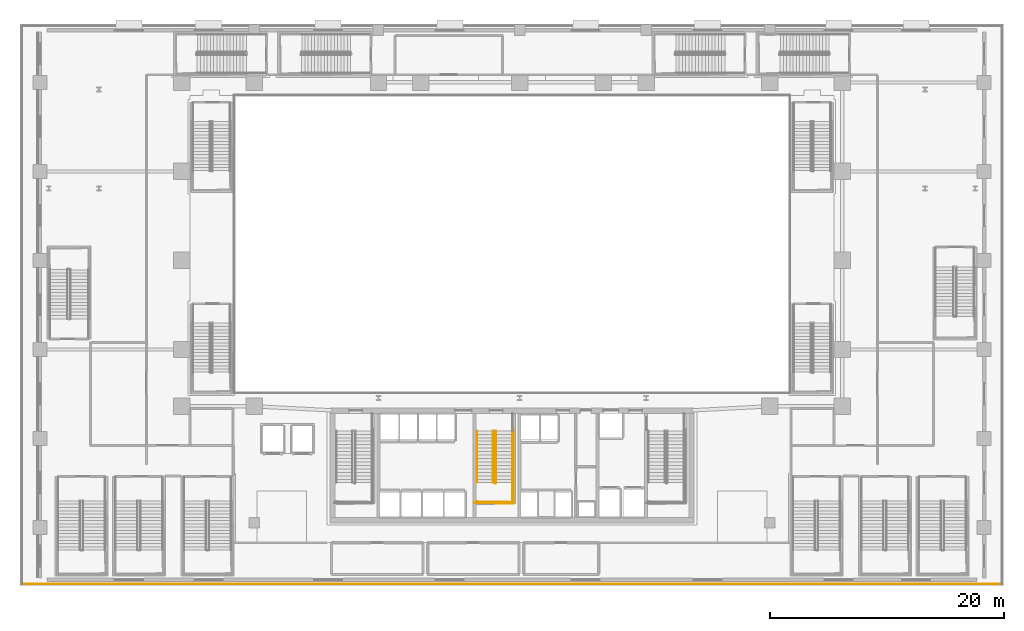
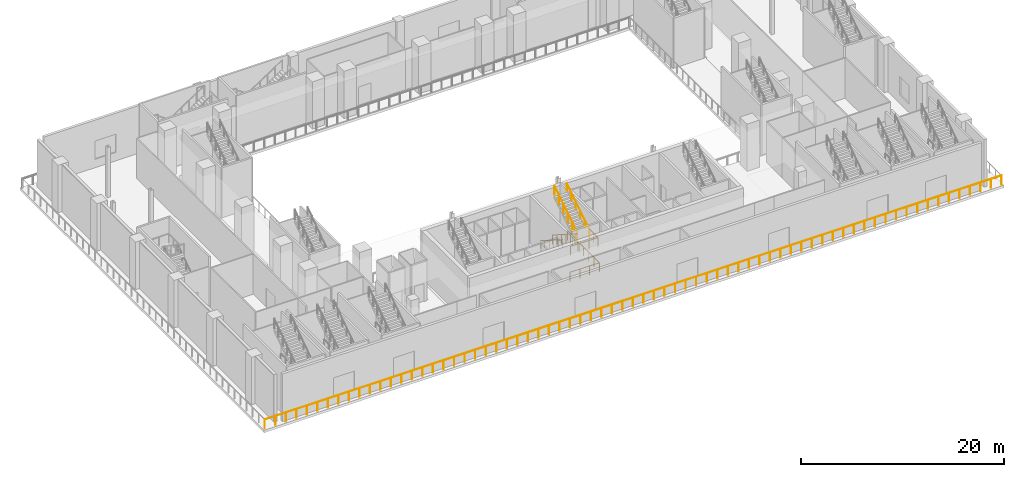
# One storey, part 19 of 29: 7 railings.
"""IFC4 building model written with IfcOpenShell, lengths in metres."""

from ifc_helpers import new_model, si_unit, direction, frame, origin, origin_2d, place, context, subcontext, project, spatial, circle, extrude, material, layer, layer_set, type_object, element, save


model = new_model("IFC4")

# Units and contexts
model_context = context("Model", 3, precision=1e-05, world=origin(), true_north=direction((0.0, 1.0)))
body_context = subcontext(model_context, "Body", "Model", "MODEL_VIEW")
ifc_project = project(units=[si_unit("LENGTHUNIT", "METRE"), si_unit("AREAUNIT", "SQUARE_METRE"), si_unit("VOLUMEUNIT", "CUBIC_METRE"), si_unit("PLANEANGLEUNIT", "RADIAN"), si_unit("MASSUNIT", "GRAM", prefix="KILO")], contexts=[model_context])

# Site, building, storey
site_placement = place(None, origin())
site = spatial("IfcSite", under=ifc_project, at=site_placement, CompositionType="ELEMENT")
building_placement = place(site_placement, origin())
building = spatial("IfcBuilding", under=site, at=building_placement, Name="Ndaravel Arena Tower", CompositionType="ELEMENT")
storey_placement = place(building_placement, frame((0.0, 0.0, 12.0)))
storey = spatial("IfcBuildingStorey", under=building, at=storey_placement, Name="L02", CompositionType="ELEMENT", Elevation=12.0)

# Railings
ifc_material_1 = material(Name="Steel S355", Category="steel")
ifc_layer_1 = layer(ifc_material_1, 0.06005859375)
ifc_layer_set_1 = layer_set([ifc_layer_1], Name="Steel S355")
railing_type_1 = type_object("IfcRailingType", Name="RAIL-STAIR-GD1100", PredefinedType="GUARDRAIL", material=ifc_layer_set_1)
railing_1_placement = place(storey_placement, frame((40.39990234375, 13.25, 0.1875)))
element("IfcRailing", 1, at=railing_1_placement, inside=storey, type_object=railing_type_1, Name="L02 ST-2 stair guard 1", PredefinedType="GUARDRAIL", context=body_context, shape_type="SweptSolid", body=[
    extrude(circle(Radius=0.02392578125, at=origin_2d()), frame((0.0, 0.0, 1.076171875), z_axis=(0.0, -0.843958541447, 0.536408408136), x_axis=(1.0, 0.0, 0.0)), (0.0, 0.0, 1.0), 5.2431640625),
    extrude(circle(Radius=0.02392578125, at=origin_2d()), frame((0.0, -4.425048828125, 3.888671875), z_axis=(0.967074537263, -0.25449329928, 0.0), x_axis=(0.25449329928, 0.967074537263, 0.0)), (0.0, 0.0, 1.0), 0.19677734375),
    extrude(circle(Radius=0.02099609375, at=origin_2d()), origin(), (0.0, 0.0, 1.0), 1.052001953125),
    extrude(circle(Radius=0.02099609375, at=origin_2d()), frame((0.0, -0.885009765625, 0.5625)), (0.0, 0.0, 1.0), 1.052001953125),
    extrude(circle(Radius=0.02099609375, at=origin_2d()), frame((0.0, -1.77001953125, 1.125)), (0.0, 0.0, 1.0), 1.052001953125),
    extrude(circle(Radius=0.02099609375, at=origin_2d()), frame((0.0, -2.655029296875, 1.6875)), (0.0, 0.0, 1.0), 1.052001953125),
    extrude(circle(Radius=0.02099609375, at=origin_2d()), frame((0.0, -3.5400390625, 2.25)), (0.0, 0.0, 1.0), 1.052001953125),
    extrude(circle(Radius=0.02099609375, at=origin_2d()), frame((0.0, -4.425048828125, 2.8125)), (0.0, 0.0, 1.0), 1.052001953125),
    extrude(circle(Radius=0.02099609375, at=origin_2d()), frame((0.190185546875, -4.47509765625, 2.8125)), (0.0, 0.0, 1.0), 1.052001953125),
])
railing_2_placement = place(storey_placement, frame((42.0400390625, 8.824951171875, 3.0)))
element("IfcRailing", 2, at=railing_2_placement, inside=storey, type_object=railing_type_1, Name="L02 ST-2 stair guard 2", PredefinedType="GUARDRAIL", context=body_context, shape_type="SweptSolid", body=[
    extrude(circle(Radius=0.02392578125, at=origin_2d()), frame((0.0, 0.0, 1.076171875), z_axis=(0.0, -1.0, 0.0), x_axis=(1.0, 0.0, 0.0)), (0.0, 0.0, 1.0), 1.675048828125),
    extrude(circle(Radius=0.02392578125, at=origin_2d()), frame((0.0, -1.675048828125, 1.076171875), z_axis=(-0.999868861343, 0.016194447071, 0.0), x_axis=(-0.016194447071, -0.999868861343, 0.0)), (0.0, 0.0, 1.0), 3.090576171875),
    extrude(circle(Radius=0.02099609375, at=origin_2d()), origin(), (0.0, 0.0, 1.0), 1.052001953125),
    extrude(circle(Radius=0.02099609375, at=origin_2d()), frame((0.0, -0.83740234375, 0.0)), (0.0, 0.0, 1.0), 1.052001953125),
    extrude(circle(Radius=0.02099609375, at=origin_2d()), frame((0.0, -1.675048828125, 0.0)), (0.0, 0.0, 1.0), 1.052001953125),
    extrude(circle(Radius=0.02099609375, at=origin_2d()), frame((-1.030029296875, -1.658447265625, 0.0)), (0.0, 0.0, 1.0), 1.052001953125),
    extrude(circle(Radius=0.02099609375, at=origin_2d()), frame((-2.06005859375, -1.6416015625, 0.0)), (0.0, 0.0, 1.0), 1.052001953125),
    extrude(circle(Radius=0.02099609375, at=origin_2d()), frame((-3.090087890625, -1.625, 0.0)), (0.0, 0.0, 1.0), 1.052001953125),
])
railing_3_placement = place(storey_placement, frame((40.639892578125, 8.824951171875, 3.1875)))
element("IfcRailing", 3, at=railing_3_placement, inside=storey, type_object=railing_type_1, Name="L02 ST-2 stair guard 3", PredefinedType="GUARDRAIL", context=body_context, shape_type="SweptSolid", body=[
    extrude(circle(Radius=0.02392578125, at=origin_2d()), frame((0.0, 0.0, 1.076171875), z_axis=(0.0, 0.843958541447, 0.536408408136), x_axis=(-1.0, 0.0, 0.0)), (0.0, 0.0, 1.0), 5.2431640625),
    extrude(circle(Radius=0.02099609375, at=origin_2d()), origin(), (0.0, 0.0, 1.0), 1.052001953125),
    extrude(circle(Radius=0.02099609375, at=origin_2d()), frame((0.0, 0.885009765625, 0.5625)), (0.0, 0.0, 1.0), 1.052001953125),
    extrude(circle(Radius=0.02099609375, at=origin_2d()), frame((0.0, 1.77001953125, 1.125)), (0.0, 0.0, 1.0), 1.052001953125),
    extrude(circle(Radius=0.02099609375, at=origin_2d()), frame((0.0, 2.655029296875, 1.6875)), (0.0, 0.0, 1.0), 1.052001953125),
    extrude(circle(Radius=0.02099609375, at=origin_2d()), frame((0.0, 3.5400390625, 2.25)), (0.0, 0.0, 1.0), 1.052001953125),
    extrude(circle(Radius=0.02099609375, at=origin_2d()), frame((0.0, 4.425048828125, 2.8125)), (0.0, 0.0, 1.0), 1.052001953125),
])
railing_4_placement = place(storey_placement, frame((42.139892578125, 13.35009765625, 0.0)))
element("IfcRailing", 4, at=railing_4_placement, inside=storey, type_object=railing_type_1, Name="L02 ST-2 stair guard 6", PredefinedType="GUARDRAIL", context=body_context, shape_type="SweptSolid", body=[
    extrude(circle(Radius=0.02392578125, at=origin_2d()), frame((0.0, 0.0, 1.076171875), z_axis=(0.0, -1.0, 0.0), x_axis=(1.0, 0.0, 0.0)), (0.0, 0.0, 1.0), 6.300048828125),
    extrude(circle(Radius=0.02392578125, at=origin_2d()), frame((0.0, -6.300048828125, 1.076171875), z_axis=(-0.999884296952, 0.015211597839, 0.0), x_axis=(-0.015211597839, -0.999884296952, 0.0)), (0.0, 0.0, 1.0), 3.290283203125),
    extrude(circle(Radius=0.02099609375, at=origin_2d()), origin(), (0.0, 0.0, 1.0), 1.052001953125),
    extrude(circle(Radius=0.02099609375, at=origin_2d()), frame((0.0, -1.050048828125, 0.0)), (0.0, 0.0, 1.0), 1.052001953125),
    extrude(circle(Radius=0.02099609375, at=origin_2d()), frame((0.0, -2.10009765625, 0.0)), (0.0, 0.0, 1.0), 1.052001953125),
    extrude(circle(Radius=0.02099609375, at=origin_2d()), frame((0.0, -3.14990234375, 0.0)), (0.0, 0.0, 1.0), 1.052001953125),
    extrude(circle(Radius=0.02099609375, at=origin_2d()), frame((0.0, -4.199951171875, 0.0)), (0.0, 0.0, 1.0), 1.052001953125),
    extrude(circle(Radius=0.02099609375, at=origin_2d()), frame((0.0, -5.25, 0.0)), (0.0, 0.0, 1.0), 1.052001953125),
    extrude(circle(Radius=0.02099609375, at=origin_2d()), frame((0.0, -6.300048828125, 0.0)), (0.0, 0.0, 1.0), 1.052001953125),
    extrude(circle(Radius=0.02099609375, at=origin_2d()), frame((-1.0966796875, -6.283447265625, 0.0)), (0.0, 0.0, 1.0), 1.052001953125),
    extrude(circle(Radius=0.02099609375, at=origin_2d()), frame((-2.193115234375, -6.2666015625, 0.0)), (0.0, 0.0, 1.0), 1.052001953125),
    extrude(circle(Radius=0.02099609375, at=origin_2d()), frame((-3.289794921875, -6.25, 0.0)), (0.0, 0.0, 1.0), 1.052001953125),
])
ifc_material_2 = material(Name="Steel S355", Category="steel")
ifc_layer_2 = layer(ifc_material_2, 0.050048828125)
ifc_layer_set_2 = layer_set([ifc_layer_2], Name="Steel S355")
railing_type_2 = type_object("IfcRailingType", Name="RAIL-STAIR-HR920", PredefinedType="HANDRAIL", material=ifc_layer_set_2)
railing_5_placement = place(storey_placement, frame((39.0, 13.25, 0.1875)))
element("IfcRailing", 5, at=railing_5_placement, inside=storey, type_object=railing_type_2, Name="L02 ST-2 stair handrail 1", PredefinedType="HANDRAIL", context=body_context, shape_type="SweptSolid", body=[
    extrude(circle(Radius=0.02392578125, at=origin_2d()), frame((0.0, 0.0, 0.8759765625), z_axis=(0.0, -0.843958541447, 0.536408408136), x_axis=(1.0, 0.0, 0.0)), (0.0, 0.0, 1.0), 5.2431640625),
    extrude(circle(Radius=0.02099609375, at=origin_2d()), origin(), (0.0, 0.0, 1.0), 0.851806640625),
    extrude(circle(Radius=0.02099609375, at=origin_2d()), frame((0.0, -0.885009765625, 0.5625)), (0.0, 0.0, 1.0), 0.851806640625),
    extrude(circle(Radius=0.02099609375, at=origin_2d()), frame((0.0, -1.77001953125, 1.125)), (0.0, 0.0, 1.0), 0.851806640625),
    extrude(circle(Radius=0.02099609375, at=origin_2d()), frame((0.0, -2.655029296875, 1.6875)), (0.0, 0.0, 1.0), 0.851806640625),
    extrude(circle(Radius=0.02099609375, at=origin_2d()), frame((0.0, -3.5400390625, 2.25)), (0.0, 0.0, 1.0), 0.851806640625),
    extrude(circle(Radius=0.02099609375, at=origin_2d()), frame((0.0, -4.425048828125, 2.8125)), (0.0, 0.0, 1.0), 0.851806640625),
])
railing_6_placement = place(storey_placement, frame((42.0400390625, 8.824951171875, 3.1875)))
element("IfcRailing", 6, at=railing_6_placement, inside=storey, type_object=railing_type_2, Name="L02 ST-2 stair handrail 2", PredefinedType="HANDRAIL", context=body_context, shape_type="SweptSolid", body=[
    extrude(circle(Radius=0.02392578125, at=origin_2d()), frame((0.0, 0.0, 0.8759765625), z_axis=(0.0, 0.843958541447, 0.536408408136), x_axis=(-1.0, 0.0, 0.0)), (0.0, 0.0, 1.0), 5.2431640625),
    extrude(circle(Radius=0.02099609375, at=origin_2d()), origin(), (0.0, 0.0, 1.0), 0.851806640625),
    extrude(circle(Radius=0.02099609375, at=origin_2d()), frame((0.0, 0.885009765625, 0.5625)), (0.0, 0.0, 1.0), 0.851806640625),
    extrude(circle(Radius=0.02099609375, at=origin_2d()), frame((0.0, 1.77001953125, 1.125)), (0.0, 0.0, 1.0), 0.851806640625),
    extrude(circle(Radius=0.02099609375, at=origin_2d()), frame((0.0, 2.655029296875, 1.6875)), (0.0, 0.0, 1.0), 0.851806640625),
    extrude(circle(Radius=0.02099609375, at=origin_2d()), frame((0.0, 3.5400390625, 2.25)), (0.0, 0.0, 1.0), 0.851806640625),
    extrude(circle(Radius=0.02099609375, at=origin_2d()), frame((0.0, 4.425048828125, 2.8125)), (0.0, 0.0, 1.0), 0.851806640625),
])
ifc_material_3 = material(Name="Glazing", Category="glass")
ifc_layer_3 = layer(ifc_material_3, 0.070068359375)
ifc_layer_set_3 = layer_set([ifc_layer_3], Name="Glazing")
railing_type_3 = type_object("IfcRailingType", Name="RAIL-TERRACE-1150", PredefinedType="BALUSTRADE", material=ifc_layer_set_3)
railing_7_placement = place(storey_placement, frame((0.179931640625, 0.179931640625, 0.0)))
element("IfcRailing", 7, at=railing_7_placement, inside=storey, type_object=railing_type_3, Name="L02 Podium Perimeter Edge Guard 1", PredefinedType="BALUSTRADE", context=body_context, shape_type="SweptSolid", body=[
    extrude(circle(Radius=0.02392578125, at=origin_2d()), frame((0.0, 0.0, 1.1259765625), z_axis=(1.0, 0.0, 0.0), x_axis=(0.0, 1.0, 0.0)), (0.0, 0.0, 1.0), 83.64013671875),
    extrude(circle(Radius=0.02099609375, at=origin_2d()), origin(), (0.0, 0.0, 1.0), 1.101806640625),
    extrude(circle(Radius=0.02099609375, at=origin_2d()), frame((1.19482421875, 0.0, 0.0)), (0.0, 0.0, 1.0), 1.101806640625),
    extrude(circle(Radius=0.02099609375, at=origin_2d()), frame((2.3896484375, 0.0, 0.0)), (0.0, 0.0, 1.0), 1.101806640625),
    extrude(circle(Radius=0.02099609375, at=origin_2d()), frame((3.58447265625, 0.0, 0.0)), (0.0, 0.0, 1.0), 1.101806640625),
    extrude(circle(Radius=0.02099609375, at=origin_2d()), frame((4.779541015625, 0.0, 0.0)), (0.0, 0.0, 1.0), 1.101806640625),
    extrude(circle(Radius=0.02099609375, at=origin_2d()), frame((5.974365234375, 0.0, 0.0)), (0.0, 0.0, 1.0), 1.101806640625),
    extrude(circle(Radius=0.02099609375, at=origin_2d()), frame((7.169189453125, 0.0, 0.0)), (0.0, 0.0, 1.0), 1.101806640625),
    extrude(circle(Radius=0.02099609375, at=origin_2d()), frame((8.364013671875, 0.0, 0.0)), (0.0, 0.0, 1.0), 1.101806640625),
    extrude(circle(Radius=0.02099609375, at=origin_2d()), frame((9.558837890625, 0.0, 0.0)), (0.0, 0.0, 1.0), 1.101806640625),
    extrude(circle(Radius=0.02099609375, at=origin_2d()), frame((10.753662109375, 0.0, 0.0)), (0.0, 0.0, 1.0), 1.101806640625),
    extrude(circle(Radius=0.02099609375, at=origin_2d()), frame((11.948486328125, 0.0, 0.0)), (0.0, 0.0, 1.0), 1.101806640625),
    extrude(circle(Radius=0.02099609375, at=origin_2d()), frame((13.1435546875, 0.0, 0.0)), (0.0, 0.0, 1.0), 1.101806640625),
    extrude(circle(Radius=0.02099609375, at=origin_2d()), frame((14.33837890625, 0.0, 0.0)), (0.0, 0.0, 1.0), 1.101806640625),
    extrude(circle(Radius=0.02099609375, at=origin_2d()), frame((15.533203125, 0.0, 0.0)), (0.0, 0.0, 1.0), 1.101806640625),
    extrude(circle(Radius=0.02099609375, at=origin_2d()), frame((16.72802734375, 0.0, 0.0)), (0.0, 0.0, 1.0), 1.101806640625),
    extrude(circle(Radius=0.02099609375, at=origin_2d()), frame((17.9228515625, 0.0, 0.0)), (0.0, 0.0, 1.0), 1.101806640625),
    extrude(circle(Radius=0.02099609375, at=origin_2d()), frame((19.11767578125, 0.0, 0.0)), (0.0, 0.0, 1.0), 1.101806640625),
    extrude(circle(Radius=0.02099609375, at=origin_2d()), frame((20.3125, 0.0, 0.0)), (0.0, 0.0, 1.0), 1.101806640625),
    extrude(circle(Radius=0.02099609375, at=origin_2d()), frame((21.507568359375, 0.0, 0.0)), (0.0, 0.0, 1.0), 1.101806640625),
    extrude(circle(Radius=0.02099609375, at=origin_2d()), frame((22.702392578125, 0.0, 0.0)), (0.0, 0.0, 1.0), 1.101806640625),
    extrude(circle(Radius=0.02099609375, at=origin_2d()), frame((23.897216796875, 0.0, 0.0)), (0.0, 0.0, 1.0), 1.101806640625),
    extrude(circle(Radius=0.02099609375, at=origin_2d()), frame((25.092041015625, 0.0, 0.0)), (0.0, 0.0, 1.0), 1.101806640625),
    extrude(circle(Radius=0.02099609375, at=origin_2d()), frame((26.286865234375, 0.0, 0.0)), (0.0, 0.0, 1.0), 1.101806640625),
    extrude(circle(Radius=0.02099609375, at=origin_2d()), frame((27.481689453125, 0.0, 0.0)), (0.0, 0.0, 1.0), 1.101806640625),
    extrude(circle(Radius=0.02099609375, at=origin_2d()), frame((28.676513671875, 0.0, 0.0)), (0.0, 0.0, 1.0), 1.101806640625),
    extrude(circle(Radius=0.02099609375, at=origin_2d()), frame((29.87158203125, 0.0, 0.0)), (0.0, 0.0, 1.0), 1.101806640625),
    extrude(circle(Radius=0.02099609375, at=origin_2d()), frame((31.06640625, 0.0, 0.0)), (0.0, 0.0, 1.0), 1.101806640625),
    extrude(circle(Radius=0.02099609375, at=origin_2d()), frame((32.26123046875, 0.0, 0.0)), (0.0, 0.0, 1.0), 1.101806640625),
    extrude(circle(Radius=0.02099609375, at=origin_2d()), frame((33.4560546875, 0.0, 0.0)), (0.0, 0.0, 1.0), 1.101806640625),
    extrude(circle(Radius=0.02099609375, at=origin_2d()), frame((34.65087890625, 0.0, 0.0)), (0.0, 0.0, 1.0), 1.101806640625),
    extrude(circle(Radius=0.02099609375, at=origin_2d()), frame((35.845703125, 0.0, 0.0)), (0.0, 0.0, 1.0), 1.101806640625),
    extrude(circle(Radius=0.02099609375, at=origin_2d()), frame((37.04052734375, 0.0, 0.0)), (0.0, 0.0, 1.0), 1.101806640625),
    extrude(circle(Radius=0.02099609375, at=origin_2d()), frame((38.235595703125, 0.0, 0.0)), (0.0, 0.0, 1.0), 1.101806640625),
    extrude(circle(Radius=0.02099609375, at=origin_2d()), frame((39.430419921875, 0.0, 0.0)), (0.0, 0.0, 1.0), 1.101806640625),
    extrude(circle(Radius=0.02099609375, at=origin_2d()), frame((40.625244140625, 0.0, 0.0)), (0.0, 0.0, 1.0), 1.101806640625),
    extrude(circle(Radius=0.02099609375, at=origin_2d()), frame((41.820068359375, 0.0, 0.0)), (0.0, 0.0, 1.0), 1.101806640625),
    extrude(circle(Radius=0.02099609375, at=origin_2d()), frame((43.014892578125, 0.0, 0.0)), (0.0, 0.0, 1.0), 1.101806640625),
    extrude(circle(Radius=0.02099609375, at=origin_2d()), frame((44.209716796875, 0.0, 0.0)), (0.0, 0.0, 1.0), 1.101806640625),
    extrude(circle(Radius=0.02099609375, at=origin_2d()), frame((45.404541015625, 0.0, 0.0)), (0.0, 0.0, 1.0), 1.101806640625),
    extrude(circle(Radius=0.02099609375, at=origin_2d()), frame((46.599609375, 0.0, 0.0)), (0.0, 0.0, 1.0), 1.101806640625),
    extrude(circle(Radius=0.02099609375, at=origin_2d()), frame((47.79443359375, 0.0, 0.0)), (0.0, 0.0, 1.0), 1.101806640625),
    extrude(circle(Radius=0.02099609375, at=origin_2d()), frame((48.9892578125, 0.0, 0.0)), (0.0, 0.0, 1.0), 1.101806640625),
    extrude(circle(Radius=0.02099609375, at=origin_2d()), frame((50.18408203125, 0.0, 0.0)), (0.0, 0.0, 1.0), 1.101806640625),
    extrude(circle(Radius=0.02099609375, at=origin_2d()), frame((51.37890625, 0.0, 0.0)), (0.0, 0.0, 1.0), 1.101806640625),
    extrude(circle(Radius=0.02099609375, at=origin_2d()), frame((52.57373046875, 0.0, 0.0)), (0.0, 0.0, 1.0), 1.101806640625),
    extrude(circle(Radius=0.02099609375, at=origin_2d()), frame((53.7685546875, 0.0, 0.0)), (0.0, 0.0, 1.0), 1.101806640625),
    extrude(circle(Radius=0.02099609375, at=origin_2d()), frame((54.963623046875, 0.0, 0.0)), (0.0, 0.0, 1.0), 1.101806640625),
    extrude(circle(Radius=0.02099609375, at=origin_2d()), frame((56.158447265625, 0.0, 0.0)), (0.0, 0.0, 1.0), 1.101806640625),
    extrude(circle(Radius=0.02099609375, at=origin_2d()), frame((57.353271484375, 0.0, 0.0)), (0.0, 0.0, 1.0), 1.101806640625),
    extrude(circle(Radius=0.02099609375, at=origin_2d()), frame((58.548095703125, 0.0, 0.0)), (0.0, 0.0, 1.0), 1.101806640625),
    extrude(circle(Radius=0.02099609375, at=origin_2d()), frame((59.742919921875, 0.0, 0.0)), (0.0, 0.0, 1.0), 1.101806640625),
    extrude(circle(Radius=0.02099609375, at=origin_2d()), frame((60.937744140625, 0.0, 0.0)), (0.0, 0.0, 1.0), 1.101806640625),
    extrude(circle(Radius=0.02099609375, at=origin_2d()), frame((62.132568359375, 0.0, 0.0)), (0.0, 0.0, 1.0), 1.101806640625),
    extrude(circle(Radius=0.02099609375, at=origin_2d()), frame((63.32763671875, 0.0, 0.0)), (0.0, 0.0, 1.0), 1.101806640625),
    extrude(circle(Radius=0.02099609375, at=origin_2d()), frame((64.5224609375, 0.0, 0.0)), (0.0, 0.0, 1.0), 1.101806640625),
    extrude(circle(Radius=0.02099609375, at=origin_2d()), frame((65.71728515625, 0.0, 0.0)), (0.0, 0.0, 1.0), 1.101806640625),
    extrude(circle(Radius=0.02099609375, at=origin_2d()), frame((66.912109375, 0.0, 0.0)), (0.0, 0.0, 1.0), 1.101806640625),
    extrude(circle(Radius=0.02099609375, at=origin_2d()), frame((68.10693359375, 0.0, 0.0)), (0.0, 0.0, 1.0), 1.101806640625),
    extrude(circle(Radius=0.02099609375, at=origin_2d()), frame((69.3017578125, 0.0, 0.0)), (0.0, 0.0, 1.0), 1.101806640625),
    extrude(circle(Radius=0.02099609375, at=origin_2d()), frame((70.49658203125, 0.0, 0.0)), (0.0, 0.0, 1.0), 1.101806640625),
    extrude(circle(Radius=0.02099609375, at=origin_2d()), frame((71.691650390625, 0.0, 0.0)), (0.0, 0.0, 1.0), 1.101806640625),
    extrude(circle(Radius=0.02099609375, at=origin_2d()), frame((72.886474609375, 0.0, 0.0)), (0.0, 0.0, 1.0), 1.101806640625),
    extrude(circle(Radius=0.02099609375, at=origin_2d()), frame((74.081298828125, 0.0, 0.0)), (0.0, 0.0, 1.0), 1.101806640625),
    extrude(circle(Radius=0.02099609375, at=origin_2d()), frame((75.276123046875, 0.0, 0.0)), (0.0, 0.0, 1.0), 1.101806640625),
    extrude(circle(Radius=0.02099609375, at=origin_2d()), frame((76.470947265625, 0.0, 0.0)), (0.0, 0.0, 1.0), 1.101806640625),
    extrude(circle(Radius=0.02099609375, at=origin_2d()), frame((77.665771484375, 0.0, 0.0)), (0.0, 0.0, 1.0), 1.101806640625),
    extrude(circle(Radius=0.02099609375, at=origin_2d()), frame((78.860595703125, 0.0, 0.0)), (0.0, 0.0, 1.0), 1.101806640625),
    extrude(circle(Radius=0.02099609375, at=origin_2d()), frame((80.0556640625, 0.0, 0.0)), (0.0, 0.0, 1.0), 1.101806640625),
    extrude(circle(Radius=0.02099609375, at=origin_2d()), frame((81.25048828125, 0.0, 0.0)), (0.0, 0.0, 1.0), 1.101806640625),
    extrude(circle(Radius=0.02099609375, at=origin_2d()), frame((82.4453125, 0.0, 0.0)), (0.0, 0.0, 1.0), 1.101806640625),
    extrude(circle(Radius=0.02099609375, at=origin_2d()), frame((83.64013671875, 0.0, 0.0)), (0.0, 0.0, 1.0), 1.101806640625),
])

save(model, "model.ifc")
